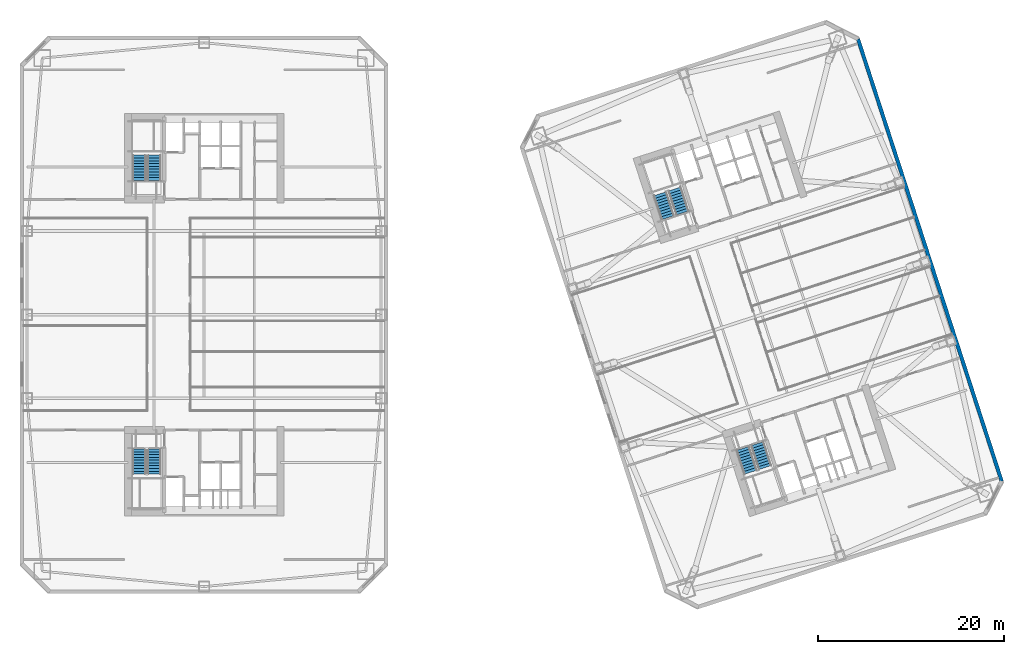
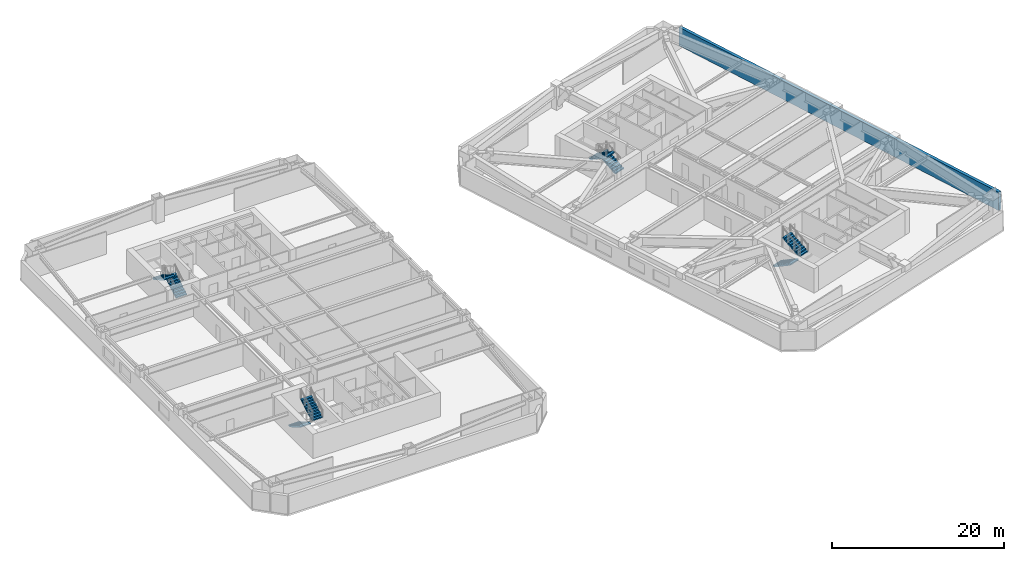
# One storey, part 16 of 18: 8 stair flights, 1 wall, 4 elements without a shape of their own.
"""IFC4 building model written with IfcOpenShell, lengths in metres."""

from ifc_helpers import new_model, si_unit, direction, frame, frame_2d, origin, place, context, subcontext, project, spatial, polyline, rectangle, outline, extrude, material, layer, layer_set, type_object, element, aggregate, save


model = new_model("IFC4")

# Units and contexts
model_context = context("Model", 3, precision=1e-05, world=origin(), true_north=direction((0.0, 1.0)))
body_context = subcontext(model_context, "Body", "Model", "MODEL_VIEW")
ifc_project = project(units=[si_unit("LENGTHUNIT", "METRE"), si_unit("AREAUNIT", "SQUARE_METRE"), si_unit("VOLUMEUNIT", "CUBIC_METRE"), si_unit("PLANEANGLEUNIT", "RADIAN"), si_unit("MASSUNIT", "GRAM", prefix="KILO")], contexts=[model_context])

# Site, building, storey
site_placement = place(None, origin())
site = spatial("IfcSite", under=ifc_project, at=site_placement, CompositionType="ELEMENT")
building_placement = place(site_placement, origin())
building = spatial("IfcBuilding", under=site, at=building_placement, Name="Qiaolan Cultural Towers", CompositionType="ELEMENT")
storey_placement = place(building_placement, frame((0.0, 0.0, 74.75)))
storey = spatial("IfcBuildingStorey", under=building, at=storey_placement, Name="L18", CompositionType="ELEMENT", Elevation=74.75)

# Wall
ifc_material_1 = material(Name="Precast Concrete C50 Honed Stone Pier", Category="masonry")
ifc_layer = layer(ifc_material_1, 0.39990234375)
ifc_layer_set = layer_set([ifc_layer], Name="Precast Concrete C50 Honed Stone Pier")
wall_type = type_object("IfcWallType", Name="WL-EXT-PIER-400", PredefinedType="SOLIDWALL", material=ifc_layer_set)
wall_placement = place(storey_placement, frame((100.3447265625, 63.647705078125, 0.0), z_axis=(0.0, 0.0, 1.0), x_axis=(0.309014526607, -0.951057318118, 0.0)))
element("IfcWall", 1, at=wall_placement, inside=storey, type_object=wall_type, Name="L18 East Tower Precast Pier Facade Wall F5", PredefinedType="SOLIDWALL", context=body_context, shape_type="SweptSolid", body=[
    extrude(rectangle(XDim=49.999755859375, YDim=0.39990234375, at=frame_2d((25.0, 0.0))), origin(), (0.0, 0.0, 1.0), 2.610107421875),
])

# Stair, stair flights
ifc_material_2 = material(Name="Concrete C45", Category="concrete")
stair_type = type_object("IfcStairType", Name="STR-CORE-1500", PredefinedType="HALF_TURN_STAIR", material=ifc_material_2)
stair_1_placement = place(storey_placement, origin())
stair_1 = element("IfcStair", 2, at=stair_1_placement, inside=storey, type_object=stair_type, Name="L18 Smokeproof Exit Stair ST-W1", PredefinedType="HALF_TURN_STAIR")
ifc_material_3 = material(Name="Concrete C45", Category="concrete")
stair_flight_type = type_object("IfcStairFlightType", Name="STR-CORE-1500-FL", PredefinedType="STRAIGHT", material=ifc_material_3)
stair_flight_1_placement = place(storey_placement, frame((23.02001953125, 19.550048828125, 0.0), z_axis=(0.0, 0.0, 1.0), x_axis=(0.0, -1.0, 0.0)))
stair_flight_1 = element("IfcStairFlight", 3, at=stair_flight_1_placement, type_object=stair_flight_type, Name="ST-W1 flight 1", NumberOfRisers=10, NumberOfTreads=9, PredefinedType="STRAIGHT", RiserHeight=0.1725, TreadLength=0.3, context=body_context, shape_type="SweptSolid", body=[
    extrude(outline(polyline([(0.0, 0.0), (0.0, 0.172607421875), (0.300048828125, 0.172607421875), (0.300048828125, 0.344970703125), (0.60009765625, 0.344970703125), (0.60009765625, 0.517578125), (0.89990234375, 0.517578125), (0.89990234375, 0.68994140625), (1.199951171875, 0.68994140625), (1.199951171875, 0.862548828125), (1.5, 0.862548828125), (1.5, 1.034912109375), (1.800048828125, 1.034912109375), (1.800048828125, 1.20751953125), (2.10009765625, 1.20751953125), (2.10009765625, 1.3798828125), (2.39990234375, 1.3798828125), (2.39990234375, 1.552490234375), (2.699951171875, 1.552490234375), (2.699951171875, 1.72509765625), (2.699951171875, 1.379638671875), (0.30078125, 0.0), (0.0, 0.0)])), frame((0.0, 0.719970703125, 0.0), z_axis=(0.0, -1.0, 0.0), x_axis=(1.0, 0.0, 0.0)), (0.0, 0.0, 1.0), 1.43994140625),
])
stair_flight_2_placement = place(storey_placement, frame((24.659912109375, 16.85009765625, 1.72509765625), z_axis=(0.0, 0.0, 1.0), x_axis=(0.0, 1.0, 0.0)))
stair_flight_2 = element("IfcStairFlight", 4, at=stair_flight_2_placement, type_object=stair_flight_type, Name="ST-W1 flight 2", NumberOfRisers=10, NumberOfTreads=9, PredefinedType="STRAIGHT", RiserHeight=0.1725, TreadLength=0.3, context=body_context, shape_type="SweptSolid", body=[
    extrude(outline(polyline([(0.0, 0.0), (0.0, 0.172607421875), (0.300048828125, 0.172607421875), (0.300048828125, 0.344970703125), (0.60009765625, 0.344970703125), (0.60009765625, 0.517578125), (0.89990234375, 0.517578125), (0.89990234375, 0.68994140625), (1.199951171875, 0.68994140625), (1.199951171875, 0.862548828125), (1.5, 0.862548828125), (1.5, 1.034912109375), (1.800048828125, 1.034912109375), (1.800048828125, 1.20751953125), (2.10009765625, 1.20751953125), (2.10009765625, 1.3798828125), (2.39990234375, 1.3798828125), (2.39990234375, 1.552490234375), (2.699951171875, 1.552490234375), (2.699951171875, 1.72509765625), (2.699951171875, 1.379638671875), (0.30078125, 0.0), (0.0, 0.0)])), frame((0.0, 0.719970703125, 0.0), z_axis=(0.0, -1.0, 0.0), x_axis=(1.0, 0.0, 0.0)), (0.0, 0.0, 1.0), 1.43994140625),
])
aggregate(stair_1, [stair_flight_1, stair_flight_2])

stair_2_placement = place(storey_placement, origin())
stair_2 = element("IfcStair", 5, at=stair_2_placement, inside=storey, type_object=stair_type, Name="L18 Smokeproof Exit Stair ST-W2", PredefinedType="HALF_TURN_STAIR")
stair_flight_3_placement = place(storey_placement, frame((24.659912109375, 48.449951171875, 0.0), z_axis=(0.0, 0.0, 1.0), x_axis=(0.0, 1.0, 0.0)))
stair_flight_3 = element("IfcStairFlight", 6, at=stair_flight_3_placement, type_object=stair_flight_type, Name="ST-W2 flight 1", NumberOfRisers=10, NumberOfTreads=9, PredefinedType="STRAIGHT", RiserHeight=0.1725, TreadLength=0.3, context=body_context, shape_type="SweptSolid", body=[
    extrude(outline(polyline([(0.0, 0.0), (0.0, 0.172607421875), (0.300048828125, 0.172607421875), (0.300048828125, 0.344970703125), (0.60009765625, 0.344970703125), (0.60009765625, 0.517578125), (0.89990234375, 0.517578125), (0.89990234375, 0.68994140625), (1.199951171875, 0.68994140625), (1.199951171875, 0.862548828125), (1.5, 0.862548828125), (1.5, 1.034912109375), (1.800048828125, 1.034912109375), (1.800048828125, 1.20751953125), (2.10009765625, 1.20751953125), (2.10009765625, 1.3798828125), (2.39990234375, 1.3798828125), (2.39990234375, 1.552490234375), (2.699951171875, 1.552490234375), (2.699951171875, 1.72509765625), (2.699951171875, 1.379638671875), (0.30078125, 0.0), (0.0, 0.0)])), frame((0.0, 0.719970703125, 0.0), z_axis=(0.0, -1.0, 0.0), x_axis=(1.0, 0.0, 0.0)), (0.0, 0.0, 1.0), 1.43994140625),
])
stair_flight_4_placement = place(storey_placement, frame((23.02001953125, 51.14990234375, 1.72509765625), z_axis=(0.0, 0.0, 1.0), x_axis=(0.0, -1.0, 0.0)))
stair_flight_4 = element("IfcStairFlight", 7, at=stair_flight_4_placement, type_object=stair_flight_type, Name="ST-W2 flight 2", NumberOfRisers=10, NumberOfTreads=9, PredefinedType="STRAIGHT", RiserHeight=0.1725, TreadLength=0.3, context=body_context, shape_type="SweptSolid", body=[
    extrude(outline(polyline([(0.0, 0.0), (0.0, 0.172607421875), (0.300048828125, 0.172607421875), (0.300048828125, 0.344970703125), (0.60009765625, 0.344970703125), (0.60009765625, 0.517578125), (0.89990234375, 0.517578125), (0.89990234375, 0.68994140625), (1.199951171875, 0.68994140625), (1.199951171875, 0.862548828125), (1.5, 0.862548828125), (1.5, 1.034912109375), (1.800048828125, 1.034912109375), (1.800048828125, 1.20751953125), (2.10009765625, 1.20751953125), (2.10009765625, 1.3798828125), (2.39990234375, 1.3798828125), (2.39990234375, 1.552490234375), (2.699951171875, 1.552490234375), (2.699951171875, 1.72509765625), (2.699951171875, 1.379638671875), (0.30078125, 0.0), (0.0, 0.0)])), frame((0.0, 0.719970703125, 0.0), z_axis=(0.0, -1.0, 0.0), x_axis=(1.0, 0.0, 0.0)), (0.0, 0.0, 1.0), 1.43994140625),
])
aggregate(stair_2, [stair_flight_3, stair_flight_4])

stair_3_placement = place(storey_placement, origin())
stair_3 = element("IfcStair", 8, at=stair_3_placement, inside=storey, type_object=stair_type, Name="L18 Smokeproof Exit Stair ST-E1", PredefinedType="HALF_TURN_STAIR")
stair_flight_5_placement = place(storey_placement, frame((87.96484375, 19.6171875, 0.0), z_axis=(0.0, 0.0, 1.0), x_axis=(0.309016994375, -0.951056516295, 0.0)))
stair_flight_5 = element("IfcStairFlight", 9, at=stair_flight_5_placement, type_object=stair_flight_type, Name="ST-E1 flight 1", NumberOfRisers=10, NumberOfTreads=9, PredefinedType="STRAIGHT", RiserHeight=0.1725, TreadLength=0.3, context=body_context, shape_type="SweptSolid", body=[
    extrude(outline(polyline([(0.0, 0.0), (0.0, 0.172607421875), (0.300048828125, 0.172607421875), (0.300048828125, 0.344970703125), (0.60009765625, 0.344970703125), (0.60009765625, 0.517578125), (0.89990234375, 0.517578125), (0.89990234375, 0.68994140625), (1.199951171875, 0.68994140625), (1.199951171875, 0.862548828125), (1.5, 0.862548828125), (1.5, 1.034912109375), (1.800048828125, 1.034912109375), (1.800048828125, 1.20751953125), (2.10009765625, 1.20751953125), (2.10009765625, 1.3798828125), (2.39990234375, 1.3798828125), (2.39990234375, 1.552490234375), (2.699951171875, 1.552490234375), (2.699951171875, 1.72509765625), (2.699951171875, 1.379638671875), (0.30078125, 0.0), (0.0, 0.0)])), frame((0.0, 0.719970703125, 0.0), z_axis=(0.0, -1.0, 0.0), x_axis=(1.0, 0.0, 0.0)), (0.0, 0.0, 1.0), 1.43994140625),
])
stair_flight_6_placement = place(storey_placement, frame((90.359130859375, 17.55615234375, 1.72509765625), z_axis=(0.0, 0.0, 1.0), x_axis=(-0.309016994375, 0.951056516295, 0.0)))
stair_flight_6 = element("IfcStairFlight", 10, at=stair_flight_6_placement, type_object=stair_flight_type, Name="ST-E1 flight 2", NumberOfRisers=10, NumberOfTreads=9, PredefinedType="STRAIGHT", RiserHeight=0.1725, TreadLength=0.3, context=body_context, shape_type="SweptSolid", body=[
    extrude(outline(polyline([(0.0, 0.0), (0.0, 0.172607421875), (0.300048828125, 0.172607421875), (0.300048828125, 0.344970703125), (0.60009765625, 0.344970703125), (0.60009765625, 0.517578125), (0.89990234375, 0.517578125), (0.89990234375, 0.68994140625), (1.199951171875, 0.68994140625), (1.199951171875, 0.862548828125), (1.5, 0.862548828125), (1.5, 1.034912109375), (1.800048828125, 1.034912109375), (1.800048828125, 1.20751953125), (2.10009765625, 1.20751953125), (2.10009765625, 1.3798828125), (2.39990234375, 1.3798828125), (2.39990234375, 1.552490234375), (2.699951171875, 1.552490234375), (2.699951171875, 1.72509765625), (2.699951171875, 1.379638671875), (0.30078125, 0.0), (0.0, 0.0)])), frame((0.0, 0.719970703125, 0.0), z_axis=(0.0, -1.0, 0.0), x_axis=(1.0, 0.0, 0.0)), (0.0, 0.0, 1.0), 1.43994140625),
])
aggregate(stair_3, [stair_flight_5, stair_flight_6])

stair_4_placement = place(storey_placement, origin())
stair_4 = element("IfcStair", 11, at=stair_4_placement, inside=storey, type_object=stair_type, Name="L18 Smokeproof Exit Stair ST-E2", PredefinedType="HALF_TURN_STAIR")
stair_flight_7_placement = place(storey_placement, frame((81.459228515625, 44.946533203125, 0.0), z_axis=(0.0, 0.0, 1.0), x_axis=(-0.309016994375, 0.951056516295, 0.0)))
stair_flight_7 = element("IfcStairFlight", 12, at=stair_flight_7_placement, type_object=stair_flight_type, Name="ST-E2 flight 1", NumberOfRisers=10, NumberOfTreads=9, PredefinedType="STRAIGHT", RiserHeight=0.1725, TreadLength=0.3, context=body_context, shape_type="SweptSolid", body=[
    extrude(outline(polyline([(0.0, 0.0), (0.0, 0.172607421875), (0.300048828125, 0.172607421875), (0.300048828125, 0.344970703125), (0.60009765625, 0.344970703125), (0.60009765625, 0.517578125), (0.89990234375, 0.517578125), (0.89990234375, 0.68994140625), (1.199951171875, 0.68994140625), (1.199951171875, 0.862548828125), (1.5, 0.862548828125), (1.5, 1.034912109375), (1.800048828125, 1.034912109375), (1.800048828125, 1.20751953125), (2.10009765625, 1.20751953125), (2.10009765625, 1.3798828125), (2.39990234375, 1.3798828125), (2.39990234375, 1.552490234375), (2.699951171875, 1.552490234375), (2.699951171875, 1.72509765625), (2.699951171875, 1.379638671875), (0.30078125, 0.0), (0.0, 0.0)])), frame((0.0, 0.719970703125, 0.0), z_axis=(0.0, -1.0, 0.0), x_axis=(1.0, 0.0, 0.0)), (0.0, 0.0, 1.0), 1.43994140625),
])
stair_flight_8_placement = place(storey_placement, frame((79.065185546875, 47.007568359375, 1.72509765625), z_axis=(0.0, 0.0, 1.0), x_axis=(0.309016994375, -0.951056516295, 0.0)))
stair_flight_8 = element("IfcStairFlight", 13, at=stair_flight_8_placement, type_object=stair_flight_type, Name="ST-E2 flight 2", NumberOfRisers=10, NumberOfTreads=9, PredefinedType="STRAIGHT", RiserHeight=0.1725, TreadLength=0.3, context=body_context, shape_type="SweptSolid", body=[
    extrude(outline(polyline([(0.0, 0.0), (0.0, 0.172607421875), (0.300048828125, 0.172607421875), (0.300048828125, 0.344970703125), (0.60009765625, 0.344970703125), (0.60009765625, 0.517578125), (0.89990234375, 0.517578125), (0.89990234375, 0.68994140625), (1.199951171875, 0.68994140625), (1.199951171875, 0.862548828125), (1.5, 0.862548828125), (1.5, 1.034912109375), (1.800048828125, 1.034912109375), (1.800048828125, 1.20751953125), (2.10009765625, 1.20751953125), (2.10009765625, 1.3798828125), (2.39990234375, 1.3798828125), (2.39990234375, 1.552490234375), (2.699951171875, 1.552490234375), (2.699951171875, 1.72509765625), (2.699951171875, 1.379638671875), (0.30078125, 0.0), (0.0, 0.0)])), frame((0.0, 0.719970703125, 0.0), z_axis=(0.0, -1.0, 0.0), x_axis=(1.0, 0.0, 0.0)), (0.0, 0.0, 1.0), 1.43994140625),
])
aggregate(stair_4, [stair_flight_7, stair_flight_8])

save(model, "model.ifc")
